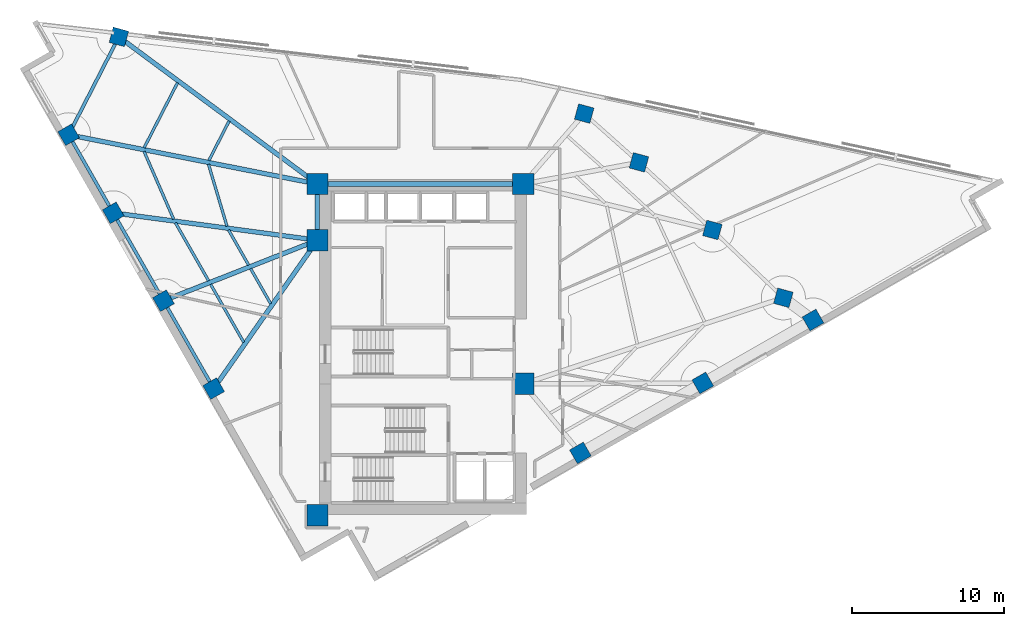
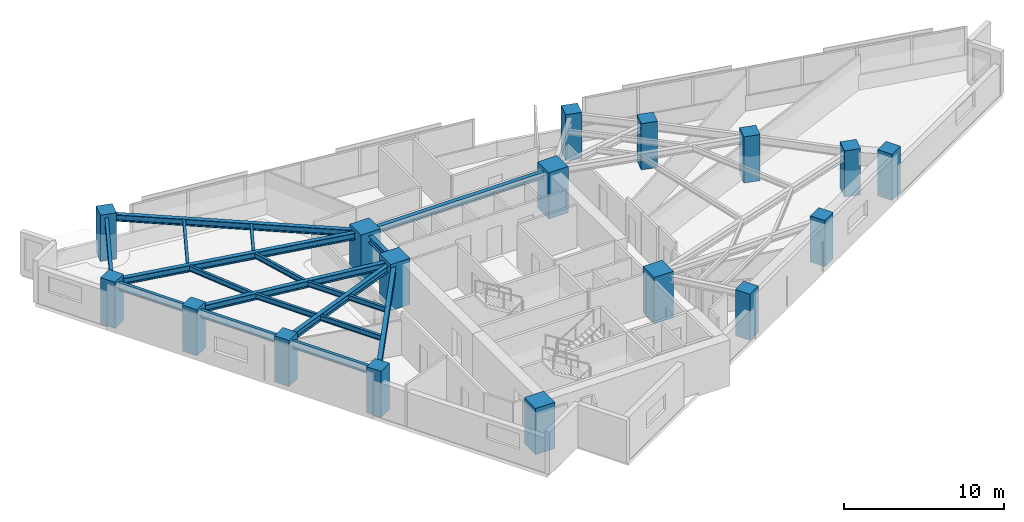
# One storey, part 1 of 13: 19 beams, 17 columns.
"""IFC4 building model written with IfcOpenShell, lengths in metres."""

from ifc_helpers import new_model, si_unit, direction, frame, origin, origin_2d, place, context, subcontext, project, spatial, rectangle, i_section, extrude, material, material_profile, profile_set, type_object, element, save


model = new_model("IFC4")

# Units and contexts
model_context = context("Model", 3, precision=1e-05, world=origin(), true_north=direction((0.0, 1.0)))
body_context = subcontext(model_context, "Body", "Model", "MODEL_VIEW")
ifc_project = project(units=[si_unit("LENGTHUNIT", "METRE"), si_unit("AREAUNIT", "SQUARE_METRE"), si_unit("VOLUMEUNIT", "CUBIC_METRE"), si_unit("PLANEANGLEUNIT", "RADIAN"), si_unit("MASSUNIT", "GRAM", prefix="KILO")], contexts=[model_context])

# Site, building, storey
site_placement = place(None, origin())
site = spatial("IfcSite", under=ifc_project, at=site_placement, CompositionType="ELEMENT")
building_placement = place(site_placement, origin())
building = spatial("IfcBuilding", under=site, at=building_placement, Name="Narakoshi Arena Tower", CompositionType="ELEMENT")
storey_placement = place(building_placement, frame((0.0, 0.0, 225.5400390625)))
storey = spatial("IfcBuildingStorey", under=building, at=storey_placement, Name="L61", CompositionType="ELEMENT", Elevation=225.5400390625)

# Columns
ifc_material_1 = material(Name="Concrete C50/60", Category="concrete")
ifc_material_profile_1 = material_profile(ifc_material_1, rectangle(XDim=1.050048828125, YDim=1.050048828125, at=origin_2d()), Name="RC1050x1050")
ifc_profile_set_1 = profile_set([ifc_material_profile_1], Name="Concrete C50/60")
column_type_1 = type_object("IfcColumnType", Name="COL-RC1050", PredefinedType="COLUMN", material=ifc_profile_set_1)
for number, where, z_axis, x_axis, name in (
    (1, (89.30810546875, 38.798583984375, 0.0), (0.0, 0.0, 1.0), (0.868198814489, 0.496216503675, 0.0), "L61 Tower Perimeter Column TC01"),
    (2, (97.366943359375, 43.404541015625, 0.0), (0.0, 0.0, 1.0), (0.868198814489, 0.496216503675, 0.0), "L61 Tower Perimeter Column TC02"),
    (3, (104.619873046875, 47.550048828125, 0.0), (0.0, 0.0, 1.0), (0.868198814489, 0.496216503675, 0.0), "L61 Tower Perimeter Column TC03"),
    (4, (102.668701171875, 49.009521484375, 0.0), (0.0, 0.0, 1.0), (0.263031214458, 0.964787323829, 0.0), "L61 Tower Perimeter Column TC05"),
    (5, (97.997802734375, 53.47509765625, 0.0), (0.0, 0.0, 1.0), (0.263031214458, 0.964787323829, 0.0), "L61 Tower Perimeter Column TC06"),
    (6, (93.16650390625, 57.923828125, 0.0), (0.0, 0.0, 1.0), (0.263031214458, 0.964787323829, 0.0), "L61 Tower Perimeter Column TC07"),
    (7, (89.5615234375, 61.134765625, 0.0), (0.0, 0.0, 1.0), (0.263031214458, 0.964787323829, 0.0), "L61 Tower Perimeter Column TC08"),
    (8, (58.934326171875, 66.183837890625, 0.0), (0.0, 0.0, 1.0), (0.263031214458, 0.964787323829, 0.0), "L61 Tower Perimeter Column TC10"),
    (9, (55.624755859375, 59.74169921875, 0.0), (0.0, 0.0, 1.0), (-0.496216503675, 0.868198814489, 0.0), "L61 Tower Perimeter Column TC13"),
    (10, (58.562744140625, 54.60107421875, 0.0), (0.0, 0.0, 1.0), (-0.496216503675, 0.868198814489, 0.0), "L61 Tower Perimeter Column TC14"),
    (11, (61.8681640625, 48.81787109375, 0.0), (0.0, 0.0, 1.0), (-0.496216503675, 0.868198814489, 0.0), "L61 Tower Perimeter Column TC15"),
    (12, (65.17333984375, 43.03466796875, 0.0), (0.0, 0.0, 1.0), (-0.496216503675, 0.868198814489, 0.0), "L61 Tower Perimeter Column TC16"),
):
    element("IfcColumn", number, at=place(storey_placement, frame(where, z_axis=z_axis, x_axis=x_axis)), inside=storey, type_object=column_type_1, Name=name, PredefinedType="COLUMN", context=body_context, shape_type="SweptSolid", body=[
        extrude(rectangle(XDim=1.050048828125, YDim=1.050048828125, at=origin_2d()), origin(), (0.0, 0.0, 1.0), 3.52001953125),
    ])
ifc_material_2 = material(Name="Concrete C60/75", Category="concrete")
ifc_material_profile_2 = material_profile(ifc_material_2, rectangle(XDim=1.39990234375, YDim=1.39990234375, at=origin_2d()), Name="RC1400x1400")
ifc_profile_set_2 = profile_set([ifc_material_profile_2], Name="Concrete C60/75")
column_type_2 = type_object("IfcColumnType", Name="COL-RC1400", PredefinedType="COLUMN", material=ifc_profile_set_2)
for number, where, z_axis, x_axis, name in (
    (13, (72.0, 34.699951171875, 0.0), (0.0, 0.0, 1.0), (1.0, 0.0, 0.0), "L61 Core Structural Column CC1"),
    (14, (85.550048828125, 43.35009765625, 0.0), (0.0, 0.0, 1.0), (1.0, 0.0, 0.0), "L61 Core Structural Column CC3"),
    (15, (72.0, 52.800048828125, 0.0), (0.0, 0.0, 1.0), (1.0, 0.0, 0.0), "L61 Core Structural Column CC4"),
    (16, (72.0, 56.5, 0.0), (0.0, 0.0, 1.0), (1.0, 0.0, 0.0), "L61 Core Structural Column CC5"),
    (17, (85.550048828125, 56.5, 0.0), (0.0, 0.0, 1.0), (1.0, 0.0, 0.0), "L61 Core Structural Column CC6"),
):
    element("IfcColumn", number, at=place(storey_placement, frame(where, z_axis=z_axis, x_axis=x_axis)), inside=storey, type_object=column_type_2, Name=name, PredefinedType="COLUMN", context=body_context, shape_type="SweptSolid", body=[
        extrude(rectangle(XDim=1.39990234375, YDim=1.39990234375, at=origin_2d()), origin(), (0.0, 0.0, 1.0), 3.52001953125),
    ])

# Beams
ifc_material_3 = material(Name="Structural steel S355J2", Category="steel")
ifc_material_profile_3 = material_profile(ifc_material_3, i_section(OverallWidth=0.219970703125, OverallDepth=0.60009765625, WebThickness=0.011962890625, FlangeThickness=0.01904296875, FilletRadius=0.02392578125, at=origin_2d()), Name="IPE600")
ifc_profile_set_3 = profile_set([ifc_material_profile_3], Name="Structural steel S355J2")
beam_type_1 = type_object("IfcBeamType", Name="BM-EDGE-600", PredefinedType="BEAM", material=ifc_profile_set_3)
beam_1_placement = place(storey_placement, frame((58.934326171875, 66.183837890625, 2.9599609375), z_axis=(-0.45696256568, -0.889485926571, 0.0), x_axis=(0.889485926571, -0.45696256568, 0.0)))
element("IfcBeam", 18, at=beam_1_placement, inside=storey, type_object=beam_type_1, Name="L61 Perimeter Edge Girder 08", PredefinedType="BEAM", context=body_context, shape_type="SweptSolid", body=[
    extrude(i_section(OverallWidth=0.219970703125, OverallDepth=0.60009765625, WebThickness=0.011962890625, FlangeThickness=0.01904296875, FilletRadius=0.02392578125, at=origin_2d()), origin(), (0.0, 0.0, 1.0), 7.242431640625),
])
beam_2_placement = place(storey_placement, frame((55.624755859375, 59.74169921875, 2.9599609375), z_axis=(0.496201104161, -0.868207615856, 0.0), x_axis=(0.868207615856, 0.496201104161, 0.0)))
element("IfcBeam", 19, at=beam_2_placement, inside=storey, type_object=beam_type_1, Name="L61 Perimeter Edge Girder 09", PredefinedType="BEAM", context=body_context, shape_type="SweptSolid", body=[
    extrude(i_section(OverallWidth=0.219970703125, OverallDepth=0.60009765625, WebThickness=0.011962890625, FlangeThickness=0.01904296875, FilletRadius=0.02392578125, at=origin_2d()), origin(), (0.0, 0.0, 1.0), 5.9208984375),
])
for number, where, z_axis, x_axis, name in (
    (20, (58.562744140625, 54.60107421875, 2.9599609375), (0.496221824399, -0.868195773423, 0.0), (0.868195773423, 0.496221824399, 0.0), "L61 Perimeter Edge Girder 10"),
    (21, (61.8681640625, 48.81787109375, 2.9599609375), (0.496194197226, -0.868211563295, 0.0), (0.868211563295, 0.496194197226, 0.0), "L61 Perimeter Edge Girder 11"),
):
    element("IfcBeam", number, at=place(storey_placement, frame(where, z_axis=z_axis, x_axis=x_axis)), inside=storey, type_object=beam_type_1, Name=name, PredefinedType="BEAM", context=body_context, shape_type="SweptSolid", body=[
        extrude(i_section(OverallWidth=0.219970703125, OverallDepth=0.60009765625, WebThickness=0.011962890625, FlangeThickness=0.01904296875, FilletRadius=0.02392578125, at=origin_2d()), origin(), (0.0, 0.0, 1.0), 6.6611328125),
    ])
ifc_material_profile_4 = material_profile(ifc_material_3, i_section(OverallWidth=0.300048828125, OverallDepth=0.5, WebThickness=0.014404296875, FlangeThickness=0.028076171875, FilletRadius=0.027099609375, at=origin_2d()), Name="HE500B")
ifc_profile_set_4 = profile_set([ifc_material_profile_4], Name="Structural steel S355J2")
beam_type_2 = type_object("IfcBeamType", Name="BM-PRI-500", PredefinedType="BEAM", material=ifc_profile_set_4)
beam_3_placement = place(storey_placement, frame((72.0, 56.5, 3.010009765625), z_axis=(-0.803393614053, 0.595448319252, 0.0), x_axis=(-0.595448319252, -0.803393614053, 0.0)))
element("IfcBeam", 22, at=beam_3_placement, inside=storey, type_object=beam_type_2, Name="L61 Radial Primary Floor Girder 08", PredefinedType="BEAM", context=body_context, shape_type="SweptSolid", body=[
    extrude(i_section(OverallWidth=0.300048828125, OverallDepth=0.5, WebThickness=0.014404296875, FlangeThickness=0.028076171875, FilletRadius=0.027099609375, at=origin_2d()), origin(), (0.0, 0.0, 1.0), 16.26318359375),
])
beam_4_placement = place(storey_placement, frame((72.0, 56.5, 3.010009765625), z_axis=(-0.980962989548, 0.194194781435, 0.0), x_axis=(-0.194194781435, -0.980962989548, 0.0)))
element("IfcBeam", 23, at=beam_4_placement, inside=storey, type_object=beam_type_2, Name="L61 Radial Primary Floor Girder 09", PredefinedType="BEAM", context=body_context, shape_type="SweptSolid", body=[
    extrude(i_section(OverallWidth=0.300048828125, OverallDepth=0.5, WebThickness=0.014404296875, FlangeThickness=0.028076171875, FilletRadius=0.027099609375, at=origin_2d()), origin(), (0.0, 0.0, 1.0), 16.693115234375),
])
beam_5_placement = place(storey_placement, frame((72.0, 52.800048828125, 3.010009765625), z_axis=(-0.991136919777, 0.132844293268, 0.0), x_axis=(-0.132844293268, -0.991136919777, 0.0)))
element("IfcBeam", 24, at=beam_5_placement, inside=storey, type_object=beam_type_2, Name="L61 Radial Primary Floor Girder 10", PredefinedType="BEAM", context=body_context, shape_type="SweptSolid", body=[
    extrude(i_section(OverallWidth=0.300048828125, OverallDepth=0.5, WebThickness=0.014404296875, FlangeThickness=0.028076171875, FilletRadius=0.027099609375, at=origin_2d()), origin(), (0.0, 0.0, 1.0), 13.557373046875),
])
beam_6_placement = place(storey_placement, frame((72.0, 52.800048828125, 3.010009765625), z_axis=(-0.930694784397, -0.365796689838, 0.0), x_axis=(0.365796689838, -0.930694784397, 0.0)))
element("IfcBeam", 25, at=beam_6_placement, inside=storey, type_object=beam_type_2, Name="L61 Radial Primary Floor Girder 11", PredefinedType="BEAM", context=body_context, shape_type="SweptSolid", body=[
    extrude(i_section(OverallWidth=0.300048828125, OverallDepth=0.5, WebThickness=0.014404296875, FlangeThickness=0.028076171875, FilletRadius=0.027099609375, at=origin_2d()), origin(), (0.0, 0.0, 1.0), 10.88623046875),
])
beam_7_placement = place(storey_placement, frame((72.0, 52.800048828125, 3.010009765625), z_axis=(-0.572949287291, -0.819590821198, 0.0), x_axis=(0.819590821198, -0.572949287291, 0.0)))
element("IfcBeam", 26, at=beam_7_placement, inside=storey, type_object=beam_type_2, Name="L61 Radial Primary Floor Girder 12", PredefinedType="BEAM", context=body_context, shape_type="SweptSolid", body=[
    extrude(i_section(OverallWidth=0.300048828125, OverallDepth=0.5, WebThickness=0.014404296875, FlangeThickness=0.028076171875, FilletRadius=0.027099609375, at=origin_2d()), origin(), (0.0, 0.0, 1.0), 11.9150390625),
])
beam_8_placement = place(storey_placement, frame((72.0, 52.800048828125, 3.010009765625), z_axis=(0.0, 1.0, 0.0), x_axis=(-1.0, 0.0, 0.0)))
element("IfcBeam", 27, at=beam_8_placement, inside=storey, type_object=beam_type_2, Name="L61 Core Perimeter Frame Beam CC4-CC5", PredefinedType="BEAM", context=body_context, shape_type="SweptSolid", body=[
    extrude(i_section(OverallWidth=0.300048828125, OverallDepth=0.5, WebThickness=0.014404296875, FlangeThickness=0.028076171875, FilletRadius=0.027099609375, at=origin_2d()), origin(), (0.0, 0.0, 1.0), 3.699951171875),
])
beam_9_placement = place(storey_placement, frame((72.0, 56.5, 3.010009765625), z_axis=(1.0, 0.0, 0.0), x_axis=(0.0, 1.0, 0.0)))
element("IfcBeam", 28, at=beam_9_placement, inside=storey, type_object=beam_type_2, Name="L61 Core Perimeter Frame Beam CC5-CC6", PredefinedType="BEAM", context=body_context, shape_type="SweptSolid", body=[
    extrude(i_section(OverallWidth=0.300048828125, OverallDepth=0.5, WebThickness=0.014404296875, FlangeThickness=0.028076171875, FilletRadius=0.027099609375, at=origin_2d()), origin(), (0.0, 0.0, 1.0), 13.550048828125),
])
ifc_material_profile_5 = material_profile(ifc_material_3, i_section(OverallWidth=0.179931640625, OverallDepth=0.39990234375, WebThickness=0.008544921875, FlangeThickness=0.013427734375, FilletRadius=0.02099609375, at=origin_2d()), Name="IPE400")
ifc_profile_set_5 = profile_set([ifc_material_profile_5], Name="Structural steel S355J2")
beam_type_3 = type_object("IfcBeamType", Name="BM-SEC-400", PredefinedType="JOIST", material=ifc_profile_set_5)
beam_10_placement = place(storey_placement, frame((66.189453125, 60.640869140625, 3.06005859375), z_axis=(-0.456929991759, -0.889502660272, 0.0), x_axis=(0.889502660272, -0.456929991759, 0.0)))
element("IfcBeam", 29, at=beam_10_placement, inside=storey, type_object=beam_type_3, Name="L61 Composite Secondary Floor Joist 10", PredefinedType="JOIST", context=body_context, shape_type="SweptSolid", body=[
    extrude(i_section(OverallWidth=0.179931640625, OverallDepth=0.39990234375, WebThickness=0.008544921875, FlangeThickness=0.013427734375, FilletRadius=0.02099609375, at=origin_2d()), origin(), (0.0, 0.0, 1.0), 2.916748046875),
])
beam_11_placement = place(storey_placement, frame((62.792236328125, 63.15869140625, 3.06005859375), z_axis=(-0.456912378331, -0.889511707921, 0.0), x_axis=(0.889511707921, -0.456912378331, 0.0)))
element("IfcBeam", 30, at=beam_11_placement, inside=storey, type_object=beam_type_3, Name="L61 Composite Secondary Floor Joist 11", PredefinedType="JOIST", context=body_context, shape_type="SweptSolid", body=[
    extrude(i_section(OverallWidth=0.179931640625, OverallDepth=0.39990234375, WebThickness=0.008544921875, FlangeThickness=0.013427734375, FilletRadius=0.02099609375, at=origin_2d()), origin(), (0.0, 0.0, 1.0), 4.7998046875),
])
beam_12_placement = place(storey_placement, frame((64.83349609375, 57.796875, 3.06005859375), z_axis=(0.285841192942, -0.958277001925, 0.0), x_axis=(0.958277001925, 0.285841192942, 0.0)))
element("IfcBeam", 31, at=beam_12_placement, inside=storey, type_object=beam_type_3, Name="L61 Composite Secondary Floor Joist 12", PredefinedType="JOIST", context=body_context, shape_type="SweptSolid", body=[
    extrude(i_section(OverallWidth=0.179931640625, OverallDepth=0.39990234375, WebThickness=0.008544921875, FlangeThickness=0.013427734375, FilletRadius=0.02099609375, at=origin_2d()), origin(), (0.0, 0.0, 1.0), 4.252685546875),
])
beam_13_placement = place(storey_placement, frame((60.59130859375, 58.6455078125, 3.06005859375), z_axis=(0.400253122957, -0.916404625459, 0.0), x_axis=(0.916404625459, 0.400253122957, 0.0)))
element("IfcBeam", 32, at=beam_13_placement, inside=storey, type_object=beam_type_3, Name="L61 Composite Secondary Floor Joist 13", PredefinedType="JOIST", context=body_context, shape_type="SweptSolid", body=[
    extrude(i_section(OverallWidth=0.179931640625, OverallDepth=0.39990234375, WebThickness=0.008544921875, FlangeThickness=0.013427734375, FilletRadius=0.02099609375, at=origin_2d()), origin(), (0.0, 0.0, 1.0), 4.8681640625),
])
beam_14_placement = place(storey_placement, frame((66.154541015625, 53.47509765625, 3.06005859375), z_axis=(0.49628714607, -0.868158435221, 0.0), x_axis=(0.868158435221, 0.49628714607, 0.0)))
element("IfcBeam", 33, at=beam_14_placement, inside=storey, type_object=beam_type_3, Name="L61 Composite Secondary Floor Joist 14", PredefinedType="JOIST", context=body_context, shape_type="SweptSolid", body=[
    extrude(i_section(OverallWidth=0.179931640625, OverallDepth=0.39990234375, WebThickness=0.008544921875, FlangeThickness=0.013427734375, FilletRadius=0.02099609375, at=origin_2d()), origin(), (0.0, 0.0, 1.0), 2.660888671875),
])
beam_15_placement = place(storey_placement, frame((62.660888671875, 53.943603515625, 3.06005859375), z_axis=(0.496228710621, -0.868191837531, 0.0), x_axis=(0.868191837531, 0.496228710621, 0.0)))
element("IfcBeam", 34, at=beam_15_placement, inside=storey, type_object=beam_type_3, Name="L61 Composite Secondary Floor Joist 15", PredefinedType="JOIST", context=body_context, shape_type="SweptSolid", body=[
    extrude(i_section(OverallWidth=0.179931640625, OverallDepth=0.39990234375, WebThickness=0.008544921875, FlangeThickness=0.013427734375, FilletRadius=0.02099609375, at=origin_2d()), origin(), (0.0, 0.0, 1.0), 4.39306640625),
])
beam_16_placement = place(storey_placement, frame((67.60888671875, 50.9306640625, 3.06005859375), z_axis=(0.496217987869, -0.868197966201, 0.0), x_axis=(0.868197966201, 0.496217987869, 0.0)))
element("IfcBeam", 35, at=beam_16_placement, inside=storey, type_object=beam_type_3, Name="L61 Composite Secondary Floor Joist 16", PredefinedType="JOIST", context=body_context, shape_type="SweptSolid", body=[
    extrude(i_section(OverallWidth=0.179931640625, OverallDepth=0.39990234375, WebThickness=0.008544921875, FlangeThickness=0.013427734375, FilletRadius=0.02099609375, at=origin_2d()), origin(), (0.0, 0.0, 1.0), 2.66064453125),
])
beam_17_placement = place(storey_placement, frame((64.974609375, 49.895263671875, 3.06005859375), z_axis=(0.496210762038, -0.86820209608, 0.0), x_axis=(0.86820209608, 0.496210762038, 0.0)))
element("IfcBeam", 36, at=beam_17_placement, inside=storey, type_object=beam_type_3, Name="L61 Composite Secondary Floor Joist 17", PredefinedType="JOIST", context=body_context, shape_type="SweptSolid", body=[
    extrude(i_section(OverallWidth=0.179931640625, OverallDepth=0.39990234375, WebThickness=0.008544921875, FlangeThickness=0.013427734375, FilletRadius=0.02099609375, at=origin_2d()), origin(), (0.0, 0.0, 1.0), 4.392578125),
])

save(model, "model.ifc")
